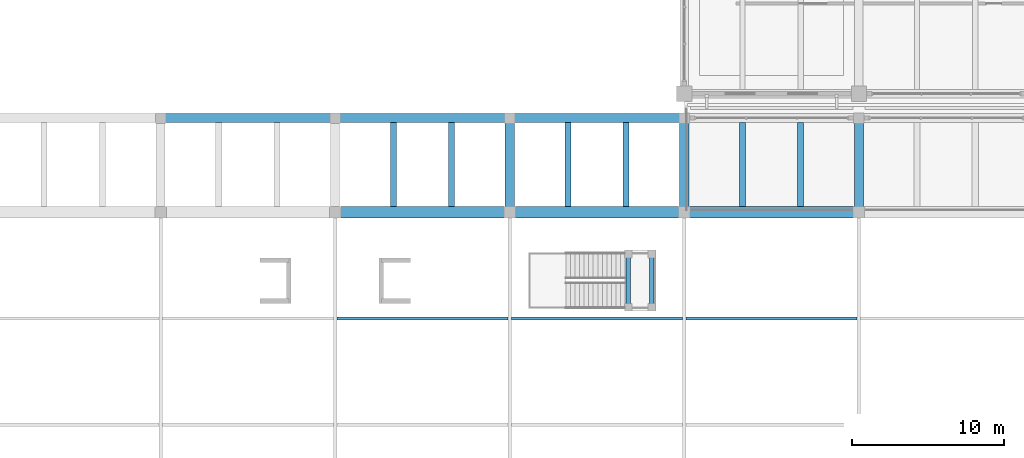
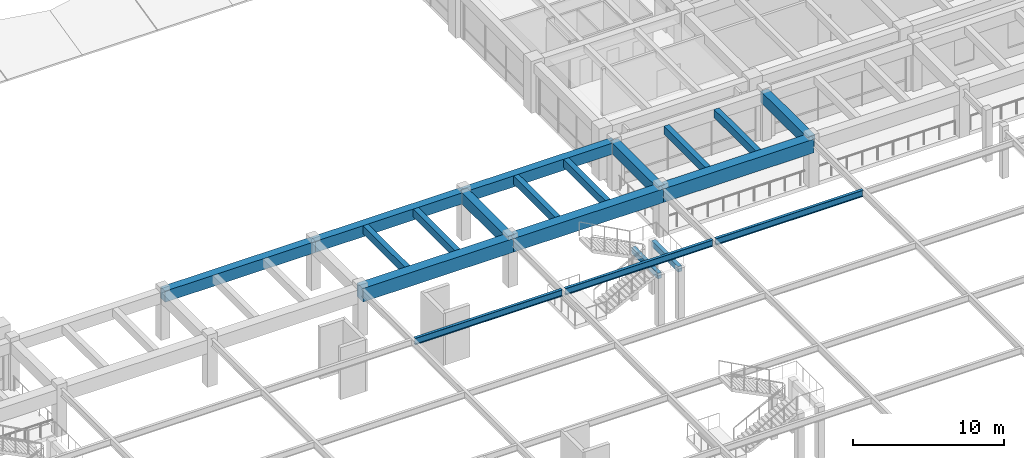
# One storey, part 34 of 98: 20 beams.
"""IFC4 building model written with IfcOpenShell, lengths in metres."""

from ifc_helpers import new_model, si_unit, direction, frame, origin, origin_2d, place, context, subcontext, project, spatial, rectangle, i_section, extrude, material, material_profile, profile_set, type_object, element, save


model = new_model("IFC4")

# Units and contexts
model_context = context("Model", 3, precision=1e-05, world=origin(), true_north=direction((0.0, 1.0)))
body_context = subcontext(model_context, "Body", "Model", "MODEL_VIEW")
ifc_project = project(units=[si_unit("LENGTHUNIT", "METRE"), si_unit("AREAUNIT", "SQUARE_METRE"), si_unit("VOLUMEUNIT", "CUBIC_METRE"), si_unit("PLANEANGLEUNIT", "RADIAN"), si_unit("MASSUNIT", "GRAM", prefix="KILO")], contexts=[model_context])

# Site, building, storey
site_placement = place(None, origin())
site = spatial("IfcSite", under=ifc_project, at=site_placement, CompositionType="ELEMENT")
building_placement = place(site_placement, origin())
building = spatial("IfcBuilding", under=site, at=building_placement, Name="Ologun Quay Terminus", CompositionType="ELEMENT")
storey_placement = place(building_placement, frame((0.0, 0.0, 4.199951171875)))
storey = spatial("IfcBuildingStorey", under=building, at=storey_placement, Name="L01", CompositionType="ELEMENT", Elevation=4.199951171875)

# Beams
ifc_material_1 = material(Name="Concrete C45/55", Category="concrete")
ifc_material_profile_1 = material_profile(ifc_material_1, rectangle(XDim=0.75, YDim=1.10009765625, at=origin_2d()), Name="RC 750x1100")
ifc_profile_set_1 = profile_set([ifc_material_profile_1], Name="Concrete C45/55")
beam_type_1 = type_object("IfcBeamType", Name="Concourse Primary Girder 750x1100", PredefinedType="BEAM", material=ifc_profile_set_1)
for number, where, z_axis, x_axis, name in (
    (1, (92.0, 78.0, 3.300048828125), (1.0, 0.0, 0.0), (0.0, 1.0, 0.0), "B2 Beam 9/F L01"),
    (2, (103.5, 78.0, 3.300048828125), (1.0, 0.0, 0.0), (0.0, 1.0, 0.0), "B2 Beam 10/F L01"),
    (3, (115.0, 78.0, 3.300048828125), (1.0, 0.0, 0.0), (0.0, 1.0, 0.0), "B2 Beam 11/F L01"),
):
    element("IfcBeam", number, at=place(storey_placement, frame(where, z_axis=z_axis, x_axis=x_axis)), inside=storey, type_object=beam_type_1, Name=name, PredefinedType="BEAM", context=body_context, shape_type="SweptSolid", body=[
        extrude(rectangle(XDim=0.75, YDim=1.10009765625, at=origin_2d()), origin(), (0.0, 0.0, 1.0), 11.5),
    ])
ifc_material_2 = material(Name="Steel S355", Category="steel")
ifc_material_profile_2 = material_profile(ifc_material_2, i_section(OverallWidth=0.209228515625, OverallDepth=0.533203125, WebThickness=0.010009765625, FlangeThickness=0.015625, at=origin_2d()), Name="UKB 533x210x92")
ifc_profile_set_2 = profile_set([ifc_material_profile_2], Name="Steel S355")
beam_type_2 = type_object("IfcBeamType", Name="Concourse Steel Secondary Beam UKB533", PredefinedType="BEAM", material=ifc_profile_set_2)
for number, where, z_axis, x_axis, name in (
    (4, (92.114013671875, 71.0, 3.58349609375), (1.0, 0.0, 0.0), (0.0, 1.0, 0.0), "SB2 Beam 9/E L01"),
    (5, (103.614013671875, 71.0, 3.58349609375), (1.0, 0.0, 0.0), (0.0, 1.0, 0.0), "SB2 Beam 10/E L01"),
    (6, (115.114013671875, 71.0, 3.58349609375), (1.0, 0.0, 0.0), (0.0, 1.0, 0.0), "SB2 Beam 11/E L01"),
):
    element("IfcBeam", number, at=place(storey_placement, frame(where, z_axis=z_axis, x_axis=x_axis)), inside=storey, type_object=beam_type_2, Name=name, PredefinedType="BEAM", context=body_context, shape_type="SweptSolid", body=[
        extrude(i_section(OverallWidth=0.209228515625, OverallDepth=0.533203125, WebThickness=0.010009765625, FlangeThickness=0.015625, at=origin_2d()), origin(), (0.0, 0.0, 1.0), 11.27197265625),
    ])
ifc_material_3 = material(Name="Concrete C40/50", Category="concrete")
ifc_material_profile_3 = material_profile(ifc_material_3, rectangle(XDim=0.300048828125, YDim=0.449951171875, at=origin_2d()), Name="RC 300x450")
ifc_profile_set_3 = profile_set([ifc_material_profile_3], Name="Concrete C40/50")
beam_type_3 = type_object("IfcBeamType", Name="Core Coupling Lintel Beam 300x450", PredefinedType="LINTEL", material=ifc_profile_set_3)
for number, where, z_axis, x_axis, name in (
    (7, (111.300048828125, 71.75, 1.695068359375), (0.0, 1.0, 0.0), (-1.0, 0.0, 0.0), "LN1 Beam 10/F L01"),
    (8, (112.85009765625, 71.75, 1.695068359375), (0.0, 1.0, 0.0), (-1.0, 0.0, 0.0), "LN1 Beam 10/F L01"),
):
    element("IfcBeam", number, at=place(storey_placement, frame(where, z_axis=z_axis, x_axis=x_axis)), inside=storey, type_object=beam_type_3, Name=name, PredefinedType="LINTEL", context=body_context, shape_type="SweptSolid", body=[
        extrude(rectangle(XDim=0.300048828125, YDim=0.449951171875, at=origin_2d()), origin(), (0.0, 0.0, 1.0), 3.5),
    ])
ifc_material_4 = material(Name="Concrete C40/50", Category="concrete")
ifc_material_profile_4 = material_profile(ifc_material_4, rectangle(XDim=0.60009765625, YDim=0.89990234375, at=origin_2d()), Name="RC 600x900")
ifc_profile_set_4 = profile_set([ifc_material_profile_4], Name="Concrete C40/50")
beam_type_4 = type_object("IfcBeamType", Name="Station Frame Girder 600x900", PredefinedType="BEAM", material=ifc_profile_set_4)
for number, where, z_axis, x_axis, name in (
    (9, (80.5, 84.199951171875, 3.400146484375), (1.0, 0.0, 0.0), (0.0, 1.0, 0.0), "B3 Beam 8/G1 L01"),
    (10, (92.0, 84.199951171875, 3.400146484375), (1.0, 0.0, 0.0), (0.0, 1.0, 0.0), "B3 Beam 9/G1 L01"),
    (11, (103.5, 84.199951171875, 3.400146484375), (1.0, 0.0, 0.0), (0.0, 1.0, 0.0), "B3 Beam 10/G1 L01"),
):
    element("IfcBeam", number, at=place(storey_placement, frame(where, z_axis=z_axis, x_axis=x_axis)), inside=storey, type_object=beam_type_4, Name=name, PredefinedType="BEAM", context=body_context, shape_type="SweptSolid", body=[
        extrude(rectangle(XDim=0.60009765625, YDim=0.89990234375, at=origin_2d()), origin(), (0.0, 0.0, 1.0), 11.5),
    ])
for number, where, z_axis, x_axis, name in (
    (12, (103.5, 78.0, 3.400146484375), (0.0, 1.0, 0.0), (-1.0, 0.0, 0.0), "B3 Beam 10/F L01"),
    (13, (115.0, 78.0, 3.400146484375), (0.0, 1.0, 0.0), (-1.0, 0.0, 0.0), "B3 Beam 11/F L01"),
    (14, (126.5, 78.0, 3.400146484375), (0.0, 1.0, 0.0), (-1.0, 0.0, 0.0), "B3 Beam 12/F L01"),
):
    element("IfcBeam", number, at=place(storey_placement, frame(where, z_axis=z_axis, x_axis=x_axis)), inside=storey, type_object=beam_type_4, Name=name, PredefinedType="BEAM", context=body_context, shape_type="SweptSolid", body=[
        extrude(rectangle(XDim=0.60009765625, YDim=0.89990234375, at=origin_2d()), origin(), (0.0, 0.0, 1.0), 6.199951171875),
    ])
ifc_material_5 = material(Name="Concrete C40/50", Category="concrete")
ifc_material_profile_5 = material_profile(ifc_material_5, rectangle(XDim=0.39990234375, YDim=0.64990234375, at=origin_2d()), Name="RC 400x650")
ifc_profile_set_5 = profile_set([ifc_material_profile_5], Name="Concrete C40/50")
beam_type_5 = type_object("IfcBeamType", Name="Station Secondary Joist 400x650", PredefinedType="JOIST", material=ifc_profile_set_5)
for number, where, z_axis, x_axis, name in (
    (15, (95.833251953125, 78.375, 3.525146484375), (0.0, 1.0, 0.0), (-1.0, 0.0, 0.0), "J1 Beam 9/F L01"),
    (16, (99.666748046875, 78.375, 3.525146484375), (0.0, 1.0, 0.0), (-1.0, 0.0, 0.0), "J1 Beam 9/F L01"),
    (17, (107.333251953125, 78.375, 3.525146484375), (0.0, 1.0, 0.0), (-1.0, 0.0, 0.0), "J1 Beam 10/F L01"),
    (18, (111.166748046875, 78.375, 3.525146484375), (0.0, 1.0, 0.0), (-1.0, 0.0, 0.0), "J1 Beam 10/F L01"),
    (19, (118.833251953125, 78.375, 3.525146484375), (0.0, 1.0, 0.0), (-1.0, 0.0, 0.0), "J1 Beam 11/F L01"),
    (20, (122.666748046875, 78.375, 3.525146484375), (0.0, 1.0, 0.0), (-1.0, 0.0, 0.0), "J1 Beam 11/F L01"),
):
    element("IfcBeam", number, at=place(storey_placement, frame(where, z_axis=z_axis, x_axis=x_axis)), inside=storey, type_object=beam_type_5, Name=name, PredefinedType="JOIST", context=body_context, shape_type="SweptSolid", body=[
        extrude(rectangle(XDim=0.39990234375, YDim=0.64990234375, at=origin_2d()), origin(), (0.0, 0.0, 1.0), 5.52490234375),
    ])

save(model, "model.ifc")
